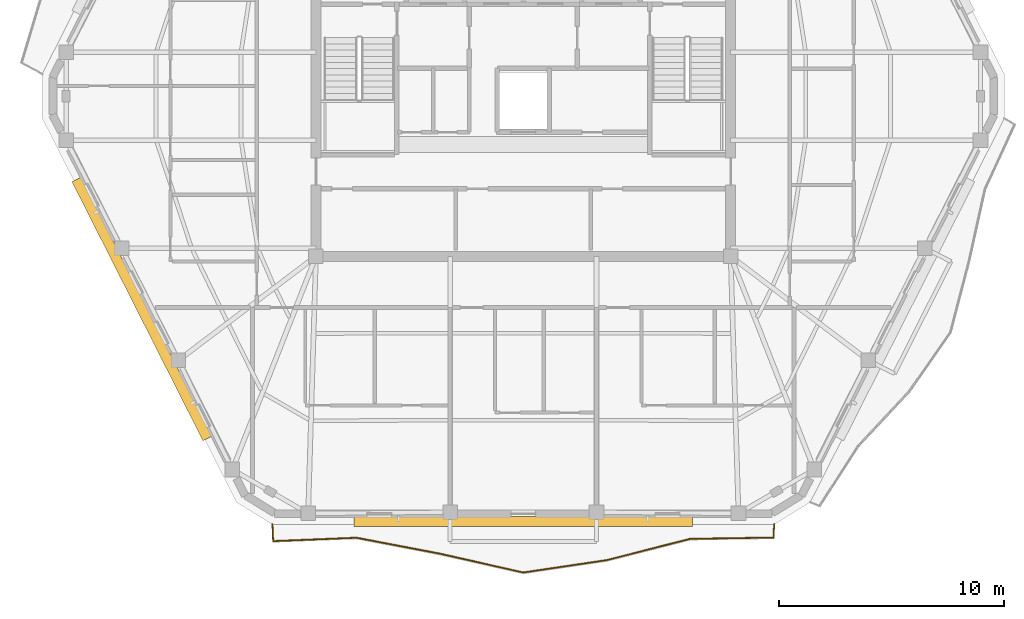
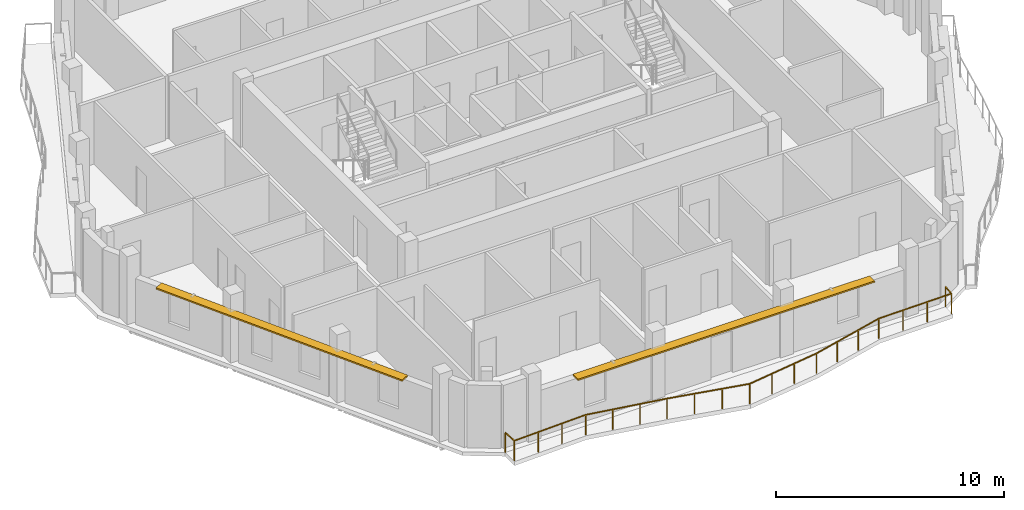
# One storey, part 9 of 11: 2 shading devices, 1 railing.
"""IFC4 building model written with IfcOpenShell, lengths in metres."""

from ifc_helpers import new_model, si_unit, direction, frame, origin, origin_2d, place, context, subcontext, project, spatial, rectangle, extrude, material, layer, layer_set, type_object, element, save


model = new_model("IFC4")

# Units and contexts
model_context = context("Model", 3, precision=1e-05, world=origin(), true_north=direction((0.0, 1.0)))
body_context = subcontext(model_context, "Body", "Model", "MODEL_VIEW")
ifc_project = project(units=[si_unit("LENGTHUNIT", "METRE"), si_unit("AREAUNIT", "SQUARE_METRE"), si_unit("VOLUMEUNIT", "CUBIC_METRE"), si_unit("PLANEANGLEUNIT", "RADIAN"), si_unit("MASSUNIT", "GRAM", prefix="KILO")], contexts=[model_context])

# Site, building, storey
site_placement = place(None, origin())
site = spatial("IfcSite", under=ifc_project, at=site_placement, CompositionType="ELEMENT")
building_placement = place(site_placement, origin())
building = spatial("IfcBuilding", under=site, at=building_placement, Name="Cinnabar Lancet Tower", CompositionType="ELEMENT")
storey_placement = place(building_placement, frame((0.0, 0.0, 274.449951171875)))
storey = spatial("IfcBuildingStorey", under=building, at=storey_placement, Name="L73", CompositionType="ELEMENT", Elevation=274.449951171875)

# Railing
ifc_material_1 = material(Name="Laminated safety glass and bronze stainless steel balustrade", Category="steel")
railing_type = type_object("IfcRailingType", Name="ENV-RLG-BAL-1100", PredefinedType="BALUSTRADE", material=ifc_material_1)
railing_placement = place(storey_placement, frame((21.236083984375, 6.75, 0.0)))
element("IfcRailing", 1, at=railing_placement, inside=storey, type_object=railing_type, Name="L73 Face 1 Wave Balcony Balustrade", PredefinedType="BALUSTRADE", context=body_context, shape_type="SweptSolid", body=[
    extrude(rectangle(XDim=0.048095703125, YDim=0.048095703125, at=origin_2d()), frame((0.0, 0.0, 1.076171875), z_axis=(0.045437316642, -0.998967191782, 0.0), x_axis=(0.998967191782, 0.045437316642, 0.0)), (0.0, 0.0, 1.0), 0.746826171875),
    extrude(rectangle(XDim=0.048095703125, YDim=0.048095703125, at=origin_2d()), frame((0.033935546875, -0.74609375, 1.076171875), z_axis=(0.999161537008, 0.040941702023, 0.0), x_axis=(-0.040941702023, 0.999161537008, 0.0)), (0.0, 0.0, 1.0), 3.715087890625),
    extrude(rectangle(XDim=0.048095703125, YDim=0.048095703125, at=origin_2d()), frame((3.745849609375, -0.593994140625, 1.076171875), z_axis=(0.98222523654, -0.18770611259, 0.0), x_axis=(0.18770611259, 0.98222523654, 0.0)), (0.0, 0.0, 1.0), 3.777099609375),
    extrude(rectangle(XDim=0.048095703125, YDim=0.048095703125, at=origin_2d()), frame((7.455810546875, -1.302978515625, 1.076171875), z_axis=(0.975462363705, -0.220166248537, 0.0), x_axis=(0.220166248537, 0.975462363705, 0.0)), (0.0, 0.0, 1.0), 3.80126953125),
    extrude(rectangle(XDim=0.048095703125, YDim=0.048095703125, at=origin_2d()), frame((11.163818359375, -2.139892578125, 1.076171875), z_axis=(0.989153063814, 0.146888448655, 0.0), x_axis=(-0.146888448655, 0.989153063814, 0.0)), (0.0, 0.0, 1.0), 3.749755859375),
    extrude(rectangle(XDim=0.048095703125, YDim=0.048095703125, at=origin_2d()), frame((14.872802734375, -1.589111328125, 1.076171875), z_axis=(0.969040871578, 0.246900362922, 0.0), x_axis=(-0.246900362922, 0.969040871578, 0.0)), (0.0, 0.0, 1.0), 3.82763671875),
    extrude(rectangle(XDim=0.048095703125, YDim=0.048095703125, at=origin_2d()), frame((18.58203125, -0.64404296875, 1.076171875), z_axis=(0.999881522098, 0.015392912906, 0.0), x_axis=(-0.015392912906, 0.999881522098, 0.0)), (0.0, 0.0, 1.0), 3.71142578125),
    extrude(rectangle(XDim=0.048095703125, YDim=0.048095703125, at=origin_2d()), frame((22.29296875, -0.5869140625, 1.076171875), z_axis=(0.059379232951, 0.998235496611, 0.0), x_axis=(-0.998235496611, 0.059379232951, 0.0)), (0.0, 0.0, 1.0), 0.587890625),
    extrude(rectangle(XDim=0.0419921875, YDim=0.0419921875, at=origin_2d()), origin(), (0.0, 0.0, 1.0), 1.052001953125),
    extrude(rectangle(XDim=0.0419921875, YDim=0.0419921875, at=origin_2d()), frame((0.033935546875, -0.74609375, 0.0)), (0.0, 0.0, 1.0), 1.052001953125),
    extrude(rectangle(XDim=0.0419921875, YDim=0.0419921875, at=origin_2d()), frame((1.271240234375, -0.6953125, 0.0)), (0.0, 0.0, 1.0), 1.052001953125),
    extrude(rectangle(XDim=0.0419921875, YDim=0.0419921875, at=origin_2d()), frame((2.508544921875, -0.644775390625, 0.0)), (0.0, 0.0, 1.0), 1.052001953125),
    extrude(rectangle(XDim=0.0419921875, YDim=0.0419921875, at=origin_2d()), frame((3.745849609375, -0.593994140625, 0.0)), (0.0, 0.0, 1.0), 1.052001953125),
    extrude(rectangle(XDim=0.0419921875, YDim=0.0419921875, at=origin_2d()), frame((4.982421875, -0.830322265625, 0.0)), (0.0, 0.0, 1.0), 1.052001953125),
    extrude(rectangle(XDim=0.0419921875, YDim=0.0419921875, at=origin_2d()), frame((6.21923828125, -1.066650390625, 0.0)), (0.0, 0.0, 1.0), 1.052001953125),
    extrude(rectangle(XDim=0.0419921875, YDim=0.0419921875, at=origin_2d()), frame((7.455810546875, -1.302978515625, 0.0)), (0.0, 0.0, 1.0), 1.052001953125),
    extrude(rectangle(XDim=0.0419921875, YDim=0.0419921875, at=origin_2d()), frame((8.69189453125, -1.58203125, 0.0)), (0.0, 0.0, 1.0), 1.052001953125),
    extrude(rectangle(XDim=0.0419921875, YDim=0.0419921875, at=origin_2d()), frame((9.927734375, -1.86083984375, 0.0)), (0.0, 0.0, 1.0), 1.052001953125),
    extrude(rectangle(XDim=0.0419921875, YDim=0.0419921875, at=origin_2d()), frame((11.163818359375, -2.139892578125, 0.0)), (0.0, 0.0, 1.0), 1.052001953125),
    extrude(rectangle(XDim=0.0419921875, YDim=0.0419921875, at=origin_2d()), frame((12.400146484375, -1.956298828125, 0.0)), (0.0, 0.0, 1.0), 1.052001953125),
    extrude(rectangle(XDim=0.0419921875, YDim=0.0419921875, at=origin_2d()), frame((13.636474609375, -1.772705078125, 0.0)), (0.0, 0.0, 1.0), 1.052001953125),
    extrude(rectangle(XDim=0.0419921875, YDim=0.0419921875, at=origin_2d()), frame((14.872802734375, -1.589111328125, 0.0)), (0.0, 0.0, 1.0), 1.052001953125),
    extrude(rectangle(XDim=0.0419921875, YDim=0.0419921875, at=origin_2d()), frame((16.109130859375, -1.274169921875, 0.0)), (0.0, 0.0, 1.0), 1.052001953125),
    extrude(rectangle(XDim=0.0419921875, YDim=0.0419921875, at=origin_2d()), frame((17.345703125, -0.958984375, 0.0)), (0.0, 0.0, 1.0), 1.052001953125),
    extrude(rectangle(XDim=0.0419921875, YDim=0.0419921875, at=origin_2d()), frame((18.58203125, -0.64404296875, 0.0)), (0.0, 0.0, 1.0), 1.052001953125),
    extrude(rectangle(XDim=0.0419921875, YDim=0.0419921875, at=origin_2d()), frame((19.819091796875, -0.625, 0.0)), (0.0, 0.0, 1.0), 1.052001953125),
    extrude(rectangle(XDim=0.0419921875, YDim=0.0419921875, at=origin_2d()), frame((21.055908203125, -0.60595703125, 0.0)), (0.0, 0.0, 1.0), 1.052001953125),
    extrude(rectangle(XDim=0.0419921875, YDim=0.0419921875, at=origin_2d()), frame((22.29296875, -0.5869140625, 0.0)), (0.0, 0.0, 1.0), 1.052001953125),
    extrude(rectangle(XDim=0.0419921875, YDim=0.0419921875, at=origin_2d()), frame((22.327880859375, 0.0, 0.0)), (0.0, 0.0, 1.0), 1.052001953125),
])

# Shading devices
ifc_material_2 = material(Name="Pale limestone architectural aluminium sunshade", Category="masonry")
ifc_layer = layer(ifc_material_2, 0.080078125)
ifc_layer_set = layer_set([ifc_layer], Name="Pale limestone architectural aluminium sunshade")
shading_device_type = type_object("IfcShadingDeviceType", Name="ENV-SHD-LVR-450", PredefinedType="JALOUSIE", material=ifc_layer_set)
shading_device_1_placement = place(storey_placement, frame((32.39990234375, 6.8798828125, 2.639892578125), z_axis=(0.0, 0.0, 1.0), x_axis=(1.0, 0.0, 0.0)))
element("IfcShadingDevice", 2, at=shading_device_1_placement, inside=storey, type_object=shading_device_type, Name="L73 Face 1 Horizontal Sunshade Canopy", PredefinedType="JALOUSIE", context=body_context, shape_type="SweptSolid", body=[
    extrude(rectangle(XDim=15.06103515625, YDim=0.449951171875, at=origin_2d()), origin(), (0.0, 0.0, 1.0), 0.080078125),
])
shading_device_2_placement = place(storey_placement, frame((15.43603515625, 16.330078125, 2.639892578125), z_axis=(0.0, 0.0, 1.0), x_axis=(0.451375984307, -0.89233386173, 0.0)))
element("IfcShadingDevice", 3, at=shading_device_2_placement, inside=storey, type_object=shading_device_type, Name="L73 Face 6 Horizontal Sunshade Canopy", PredefinedType="JALOUSIE", context=body_context, shape_type="SweptSolid", body=[
    extrude(rectangle(XDim=12.912109375, YDim=0.449951171875, at=origin_2d()), origin(), (0.0, 0.0, 1.0), 0.080078125),
])

save(model, "model.ifc")
